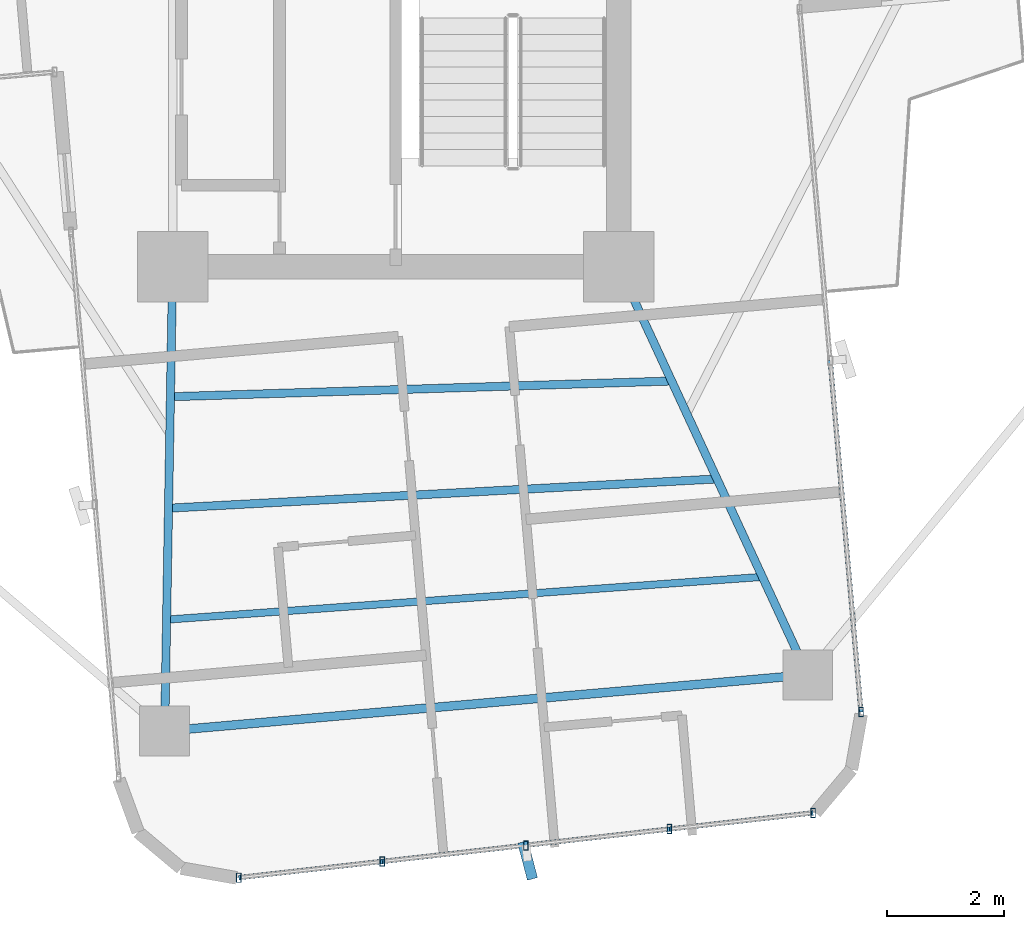
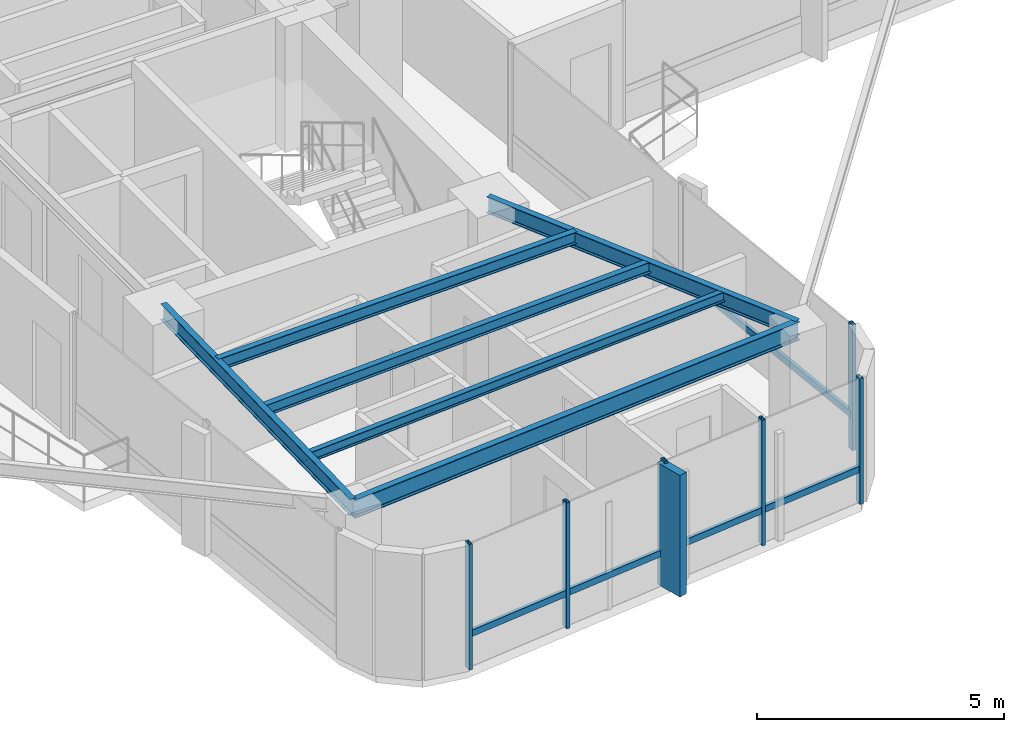
# One storey, part 6 of 24: 12 members, 6 beams, 2 elements without a shape of their own.
"""IFC4 building model written with IfcOpenShell, lengths in metres."""

from ifc_helpers import new_model, si_unit, direction, frame, origin, origin_2d, place, context, subcontext, project, spatial, rectangle, hollow_rectangle, i_section, extrude, source, transform, mapped, material, material_profile, profile_set, type_object, element, aggregate, save


model = new_model("IFC4")

# Units and contexts
model_context = context("Model", 3, precision=1e-05, world=origin(), true_north=direction((0.0, 1.0)))
body_context = subcontext(model_context, "Body", "Model", "MODEL_VIEW")
ifc_project = project(units=[si_unit("LENGTHUNIT", "METRE"), si_unit("AREAUNIT", "SQUARE_METRE"), si_unit("VOLUMEUNIT", "CUBIC_METRE"), si_unit("PLANEANGLEUNIT", "RADIAN"), si_unit("MASSUNIT", "GRAM", prefix="KILO")], contexts=[model_context])

# Site, building, storey
site_placement = place(None, origin())
site = spatial("IfcSite", under=ifc_project, at=site_placement, CompositionType="ELEMENT")
building_placement = place(site_placement, origin())
building = spatial("IfcBuilding", under=site, at=building_placement, Name="Sahyath Konkavel Grand Hotel", CompositionType="ELEMENT")
storey_placement = place(building_placement, frame((0.0, 0.0, 160.64990234375)))
storey = spatial("IfcBuildingStorey", under=building, at=storey_placement, Name="L44", CompositionType="ELEMENT", Elevation=160.64990234375)

# Beams
ifc_material_1 = material(Name="Steel E350", Category="steel")
ifc_material_profile_1 = material_profile(ifc_material_1, i_section(OverallWidth=0.139892578125, OverallDepth=0.39990234375, WebThickness=0.0087890625, FlangeThickness=0.01611328125, FilletRadius=0.013916015625, at=origin_2d()), Name="ISMB 400")
ifc_profile_set_1 = profile_set([ifc_material_profile_1], Name="Steel E350")
beam_type_1 = type_object("IfcBeamType", Name="BM-ISMB400", PredefinedType="BEAM", material=ifc_profile_set_1)
shared_shape_1 = source(origin(), body_context, "Body", "SweptSolid", [
    extrude(i_section(OverallWidth=0.139892578125, OverallDepth=0.39990234375, WebThickness=0.0087890625, FlangeThickness=0.01611328125, FilletRadius=0.013916015625, at=origin_2d()), origin(), (0.0, 0.0, 1.0), 7.913330078125),
])
beam_1_placement = place(storey_placement, frame((-3.800048828125, -10.199951171875, 2.91015625), z_axis=(-0.017215419232, -0.999851803689, 0.0), x_axis=(0.999851803689, -0.017215419232, 0.0)))
element("IfcBeam", 1, at=beam_1_placement, inside=storey, type_object=beam_type_1, Name="L44 Cruciform Radial Girder SA", PredefinedType="BEAM", context=body_context, shape_type="MappedRepresentation", body=[
    mapped(shared_shape_1, transform((0.0, 0.0, 0.0), scale=1.0)),
])
shared_shape_2 = source(origin(), body_context, "Body", "SweptSolid", [
    extrude(i_section(OverallWidth=0.139892578125, OverallDepth=0.39990234375, WebThickness=0.0087890625, FlangeThickness=0.01611328125, FilletRadius=0.013916015625, at=origin_2d()), origin(), (0.0, 0.0, 1.0), 7.66357421875),
])
beam_2_placement = place(storey_placement, frame((3.800048828125, -10.199951171875, 2.91015625), z_axis=(0.420395127561, -0.907341135804, 0.0), x_axis=(0.907341135804, 0.420395127561, 0.0)))
element("IfcBeam", 2, at=beam_2_placement, inside=storey, type_object=beam_type_1, Name="L44 Cruciform Radial Girder SB", PredefinedType="BEAM", context=body_context, shape_type="MappedRepresentation", body=[
    mapped(shared_shape_2, transform((0.0, 0.0, 0.0), scale=1.0)),
])
ifc_material_profile_2 = material_profile(ifc_material_1, i_section(OverallWidth=0.14990234375, OverallDepth=0.449951171875, WebThickness=0.009521484375, FlangeThickness=0.017333984375, FilletRadius=0.014892578125, at=origin_2d()), Name="ISMB 450")
ifc_profile_set_2 = profile_set([ifc_material_profile_2], Name="Steel E350")
beam_type_2 = type_object("IfcBeamType", Name="BM-ISMB450", PredefinedType="BEAM", material=ifc_profile_set_2)
shared_shape_3 = source(origin(), body_context, "Body", "SweptSolid", [
    extrude(i_section(OverallWidth=0.14990234375, OverallDepth=0.449951171875, WebThickness=0.009521484375, FlangeThickness=0.017333984375, FilletRadius=0.014892578125, at=origin_2d()), origin(), (0.0, 0.0, 1.0), 10.999755859375),
])
beam_3_placement = place(storey_placement, frame((-3.936279296875, -18.112060546875, 2.885009765625), z_axis=(0.99619439202, 0.087159241098, 0.0), x_axis=(-0.087159241098, 0.99619439202, 0.0)))
element("IfcBeam", 3, at=beam_3_placement, inside=storey, type_object=beam_type_2, Name="L44 Wing Tip Edge Beam S", PredefinedType="BEAM", context=body_context, shape_type="MappedRepresentation", body=[
    mapped(shared_shape_3, transform((0.0, 0.0, 0.0), scale=1.0)),
])
ifc_material_profile_3 = material_profile(ifc_material_1, i_section(OverallWidth=0.139892578125, OverallDepth=0.300048828125, WebThickness=0.0078125, FlangeThickness=0.01318359375, FilletRadius=0.013916015625, at=origin_2d()), Name="ISMB 300")
ifc_profile_set_3 = profile_set([ifc_material_profile_3], Name="Steel E350")
beam_type_3 = type_object("IfcBeamType", Name="BM-ISMB300", PredefinedType="BEAM", material=ifc_profile_set_3)
shared_shape_4 = source(origin(), body_context, "Body", "SweptSolid", [
    extrude(i_section(OverallWidth=0.139892578125, OverallDepth=0.300048828125, WebThickness=0.0078125, FlangeThickness=0.01318359375, FilletRadius=0.013916015625, at=origin_2d()), origin(), (0.0, 0.0, 1.0), 8.54443359375),
])
beam_4_placement = place(storey_placement, frame((-3.838134765625, -12.415283203125, 2.960205078125), z_axis=(0.999506849365, 0.031401561632, 0.0), x_axis=(-0.031401561632, 0.999506849365, 0.0)))
element("IfcBeam", 4, at=beam_4_placement, inside=storey, type_object=beam_type_3, Name="L44 Secondary Floor Beam S-1", PredefinedType="BEAM", context=body_context, shape_type="MappedRepresentation", body=[
    mapped(shared_shape_4, transform((0.0, 0.0, 0.0), scale=1.0)),
])
ifc_material_profile_4 = material_profile(ifc_material_1, i_section(OverallWidth=0.139892578125, OverallDepth=0.27490234375, WebThickness=0.00634765625, FlangeThickness=0.0087890625, FilletRadius=0.012939453125, at=origin_2d()), Name="ISLB 275")
ifc_profile_set_4 = profile_set([ifc_material_profile_4], Name="Steel E350")
beam_type_4 = type_object("IfcBeamType", Name="BM-ISLB275", PredefinedType="BEAM", material=ifc_profile_set_4)
shared_shape_5 = source(origin(), body_context, "Body", "SweptSolid", [
    extrude(i_section(OverallWidth=0.139892578125, OverallDepth=0.27490234375, WebThickness=0.00634765625, FlangeThickness=0.0087890625, FilletRadius=0.012939453125, at=origin_2d()), origin(), (0.0, 0.0, 1.0), 9.359375),
])
beam_5_placement = place(storey_placement, frame((-3.870849609375, -14.314208984375, 2.97265625), z_axis=(0.998580397723, 0.053265272769, 0.0), x_axis=(-0.053265272769, 0.998580397723, 0.0)))
element("IfcBeam", 5, at=beam_5_placement, inside=storey, type_object=beam_type_4, Name="L44 Secondary Floor Beam S-2", PredefinedType="BEAM", context=body_context, shape_type="MappedRepresentation", body=[
    mapped(shared_shape_5, transform((0.0, 0.0, 0.0), scale=1.0)),
])
ifc_material_profile_5 = material_profile(ifc_material_1, i_section(OverallWidth=0.125, OverallDepth=0.25, WebThickness=0.0068359375, FlangeThickness=0.012451171875, FilletRadius=0.012939453125, at=origin_2d()), Name="ISMB 250")
ifc_profile_set_5 = profile_set([ifc_material_profile_5], Name="Steel E350")
beam_type_5 = type_object("IfcBeamType", Name="BM-ISMB250", PredefinedType="BEAM", material=ifc_profile_set_5)
shared_shape_6 = source(origin(), body_context, "Body", "SweptSolid", [
    extrude(i_section(OverallWidth=0.125, OverallDepth=0.25, WebThickness=0.0068359375, FlangeThickness=0.012451171875, FilletRadius=0.012939453125, at=origin_2d()), origin(), (0.0, 0.0, 1.0), 10.178466796875),
])
beam_6_placement = place(storey_placement, frame((-3.90380859375, -16.213134765625, 2.985107421875), z_axis=(0.997435268886, 0.071574327683, 0.0), x_axis=(-0.071574327683, 0.997435268886, 0.0)))
element("IfcBeam", 6, at=beam_6_placement, inside=storey, type_object=beam_type_5, Name="L44 Secondary Floor Beam S-3", PredefinedType="BEAM", context=body_context, shape_type="MappedRepresentation", body=[
    mapped(shared_shape_6, transform((0.0, 0.0, 0.0), scale=1.0)),
])

# Curtain wall, members
ifc_material_2 = material(Name="Anodised Bronze Aluminium & Low-E Glazing", Category="aluminium")
curtain_wall_type = type_object("IfcCurtainWallType", Name="CW-ZONE3", PredefinedType="NOTDEFINED", material=ifc_material_2)
curtain_wall_1_placement = place(storey_placement, origin())
curtain_wall_1 = element("IfcCurtainWall", 7, at=curtain_wall_1_placement, inside=storey, type_object=curtain_wall_type, Name="L44 Unitised Curtain Wall F28", PredefinedType="NOTDEFINED")
ifc_material_3 = material(Name="Warm Buff Sandstone Cladding on Concrete C50/60", Category="masonry")
ifc_material_profile_6 = material_profile(ifc_material_3, rectangle(XDim=0.179931640625, YDim=0.64990234375, at=origin_2d()), Name="FIN 180x650")
ifc_profile_set_6 = profile_set([ifc_material_profile_6], Name="Warm Buff Sandstone Cladding on Concrete C50/60")
member_type_1 = type_object("IfcMemberType", Name="FIN-SANDSTONE-650", PredefinedType="MULLION", material=ifc_profile_set_6)
shared_shape_7 = source(origin(), body_context, "Body", "SweptSolid", [
    extrude(rectangle(XDim=0.179931640625, YDim=0.64990234375, at=origin_2d()), origin(), (0.0, 0.0, 1.0), 3.010009765625),
])
member_1_placement = place(storey_placement, frame((2.248291015625, -20.3173828125, 0.050048828125), z_axis=(0.0, 0.0, 1.0), x_axis=(0.967134752842, 0.254264369988, 0.0)))
member_1 = element("IfcMember", 8, at=member_1_placement, type_object=member_type_1, Name="L44 Sandstone Vertical Solar Fin FIN F28-2", PredefinedType="MULLION", context=body_context, shape_type="MappedRepresentation", body=[
    mapped(shared_shape_7, transform((0.0, 0.0, 0.0), scale=1.0)),
])
ifc_material_4 = material(Name="Anodised Bronze Aluminium", Category="aluminium")
ifc_material_profile_7 = material_profile(ifc_material_4, hollow_rectangle(XDim=0.080078125, YDim=0.159912109375, WallThickness=0.006103515625, at=origin_2d()), Name="RHS 160x80x6")
ifc_profile_set_7 = profile_set([ifc_material_profile_7], Name="Anodised Bronze Aluminium")
member_type_2 = type_object("IfcMemberType", Name="CW-MUL-160", PredefinedType="MULLION", material=ifc_profile_set_7)
shared_shape_8 = source(origin(), body_context, "Body", "SweptSolid", [
    extrude(hollow_rectangle(XDim=0.080078125, YDim=0.159912109375, WallThickness=0.006103515625, at=origin_2d()), origin(), (0.0, 0.0, 1.0), 3.110107421875),
])
member_2_placement = place(storey_placement, frame((-2.673828125, -20.610595703125, 0.0), z_axis=(0.0, 0.0, 1.0), x_axis=(1.0, 0.0, 0.0)))
member_2 = element("IfcMember", 9, at=member_2_placement, type_object=member_type_2, Name="L44 Curtain Wall Mullion F28-0", PredefinedType="MULLION", context=body_context, shape_type="MappedRepresentation", body=[
    mapped(shared_shape_8, transform((0.0, 0.0, 0.0), scale=1.0)),
])
member_3_placement = place(storey_placement, frame((-0.227294921875, -20.334716796875, 0.0), z_axis=(0.0, 0.0, 1.0), x_axis=(1.0, 0.0, 0.0)))
member_3 = element("IfcMember", 10, at=member_3_placement, type_object=member_type_2, Name="L44 Curtain Wall Mullion F28-1", PredefinedType="MULLION", context=body_context, shape_type="MappedRepresentation", body=[
    mapped(shared_shape_8, transform((0.0, 0.0, 0.0), scale=1.0)),
])
member_4_placement = place(storey_placement, frame((2.21923828125, -20.05908203125, 0.0), z_axis=(0.0, 0.0, 1.0), x_axis=(1.0, 0.0, 0.0)))
member_4 = element("IfcMember", 11, at=member_4_placement, type_object=member_type_2, Name="L44 Curtain Wall Mullion F28-2", PredefinedType="MULLION", context=body_context, shape_type="MappedRepresentation", body=[
    mapped(shared_shape_8, transform((0.0, 0.0, 0.0), scale=1.0)),
])
member_5_placement = place(storey_placement, frame((4.665771484375, -19.783203125, 0.0), z_axis=(0.0, 0.0, 1.0), x_axis=(1.0, 0.0, 0.0)))
member_5 = element("IfcMember", 12, at=member_5_placement, type_object=member_type_2, Name="L44 Curtain Wall Mullion F28-3", PredefinedType="MULLION", context=body_context, shape_type="MappedRepresentation", body=[
    mapped(shared_shape_8, transform((0.0, 0.0, 0.0), scale=1.0)),
])
member_6_placement = place(storey_placement, frame((7.1123046875, -19.507568359375, 0.0), z_axis=(0.0, 0.0, 1.0), x_axis=(1.0, 0.0, 0.0)))
member_6 = element("IfcMember", 13, at=member_6_placement, type_object=member_type_2, Name="L44 Curtain Wall Mullion F28-4", PredefinedType="MULLION", context=body_context, shape_type="MappedRepresentation", body=[
    mapped(shared_shape_8, transform((0.0, 0.0, 0.0), scale=1.0)),
])

# Curtain wall, member
curtain_wall_2_placement = place(storey_placement, origin())
curtain_wall_2 = element("IfcCurtainWall", 14, at=curtain_wall_2_placement, inside=storey, type_object=curtain_wall_type, Name="L44 Unitised Curtain Wall F31", PredefinedType="NOTDEFINED")
member_7_placement = place(storey_placement, frame((7.930419921875, -17.78662109375, 0.0), z_axis=(0.0, 0.0, 1.0), x_axis=(1.0, 0.0, 0.0)))
member_7 = element("IfcMember", 15, at=member_7_placement, type_object=member_type_2, Name="L44 Curtain Wall Mullion F31-0", PredefinedType="MULLION", context=body_context, shape_type="MappedRepresentation", body=[
    mapped(shared_shape_8, transform((0.0, 0.0, 0.0), scale=1.0)),
])

# Member
ifc_material_profile_8 = material_profile(ifc_material_4, hollow_rectangle(XDim=0.080078125, YDim=0.159912109375, WallThickness=0.006103515625, at=origin_2d()), Name="RHS 160x80x6")
ifc_profile_set_8 = profile_set([ifc_material_profile_8], Name="Anodised Bronze Aluminium")
member_type_3 = type_object("IfcMemberType", Name="CW-TRN-160", PredefinedType="USERDEFINED", material=ifc_profile_set_8)
shared_shape_9 = source(origin(), body_context, "Body", "SweptSolid", [
    extrude(hollow_rectangle(XDim=0.080078125, YDim=0.159912109375, WallThickness=0.006103515625, at=origin_2d()), origin(), (0.0, 0.0, 1.0), 2.462158203125),
])
member_8_placement = place(storey_placement, frame((-2.673828125, -20.610595703125, 0.85009765625), z_axis=(0.99370222711, 0.112053040279, 0.0), x_axis=(-0.112053040279, 0.99370222711, 0.0)))
member_8 = element("IfcMember", 16, at=member_8_placement, type_object=member_type_3, Name="L44 Curtain Wall Transom F28-0-spandrel", ObjectType="TRANSOM", PredefinedType="USERDEFINED", context=body_context, shape_type="MappedRepresentation", body=[
    mapped(shared_shape_9, transform((0.0, 0.0, 0.0), scale=1.0)),
])

member_9_placement = place(storey_placement, frame((2.21923828125, -20.05908203125, 0.85009765625), z_axis=(0.99370222711, 0.112053040279, 0.0), x_axis=(-0.112053040279, 0.99370222711, 0.0)))
member_9 = element("IfcMember", 17, at=member_9_placement, type_object=member_type_3, Name="L44 Curtain Wall Transom F28-2-spandrel", ObjectType="TRANSOM", PredefinedType="USERDEFINED", context=body_context, shape_type="MappedRepresentation", body=[
    mapped(shared_shape_9, transform((0.0, 0.0, 0.0), scale=1.0)),
])

shared_shape_10 = source(origin(), body_context, "Body", "SweptSolid", [
    extrude(hollow_rectangle(XDim=0.080078125, YDim=0.159912109375, WallThickness=0.006103515625, at=origin_2d()), origin(), (0.0, 0.0, 1.0), 2.4619140625),
])
member_10_placement = place(storey_placement, frame((-0.227294921875, -20.334716796875, 0.85009765625), z_axis=(0.993713263833, 0.111955121731, 0.0), x_axis=(-0.111955121731, 0.993713263833, 0.0)))
member_10 = element("IfcMember", 18, at=member_10_placement, type_object=member_type_3, Name="L44 Curtain Wall Transom F28-1-spandrel", ObjectType="TRANSOM", PredefinedType="USERDEFINED", context=body_context, shape_type="MappedRepresentation", body=[
    mapped(shared_shape_10, transform((0.0, 0.0, 0.0), scale=1.0)),
])

member_11_placement = place(storey_placement, frame((4.665771484375, -19.783203125, 0.85009765625), z_axis=(0.993713263833, 0.111955121731, 0.0), x_axis=(-0.111955121731, 0.993713263833, 0.0)))
member_11 = element("IfcMember", 19, at=member_11_placement, type_object=member_type_3, Name="L44 Curtain Wall Transom F28-3-spandrel", ObjectType="TRANSOM", PredefinedType="USERDEFINED", context=body_context, shape_type="MappedRepresentation", body=[
    mapped(shared_shape_10, transform((0.0, 0.0, 0.0), scale=1.0)),
])

aggregate(curtain_wall_1, [member_2, member_3, member_4, member_1, member_5, member_6, member_8, member_10, member_9, member_11])

shared_shape_11 = source(origin(), body_context, "Body", "SweptSolid", [
    extrude(hollow_rectangle(XDim=0.080078125, YDim=0.159912109375, WallThickness=0.006103515625, at=origin_2d()), origin(), (0.0, 0.0, 1.0), 6.01025390625),
])
member_12_placement = place(storey_placement, frame((7.930419921875, -17.78662109375, 0.85009765625), z_axis=(-0.087172997156, 0.996193188376, 0.0), x_axis=(-0.996193188376, -0.087172997156, 0.0)))
member_12 = element("IfcMember", 20, at=member_12_placement, type_object=member_type_3, Name="L44 Curtain Wall Transom F31-0-spandrel", ObjectType="TRANSOM", PredefinedType="USERDEFINED", context=body_context, shape_type="MappedRepresentation", body=[
    mapped(shared_shape_11, transform((0.0, 0.0, 0.0), scale=1.0)),
])

aggregate(curtain_wall_2, [member_7, member_12])

save(model, "model.ifc")
